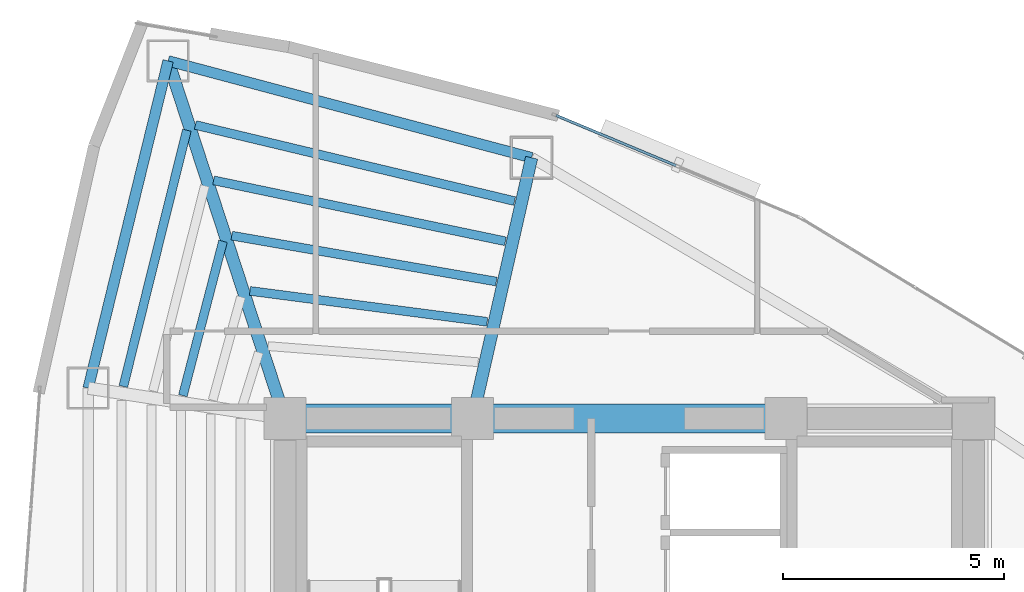
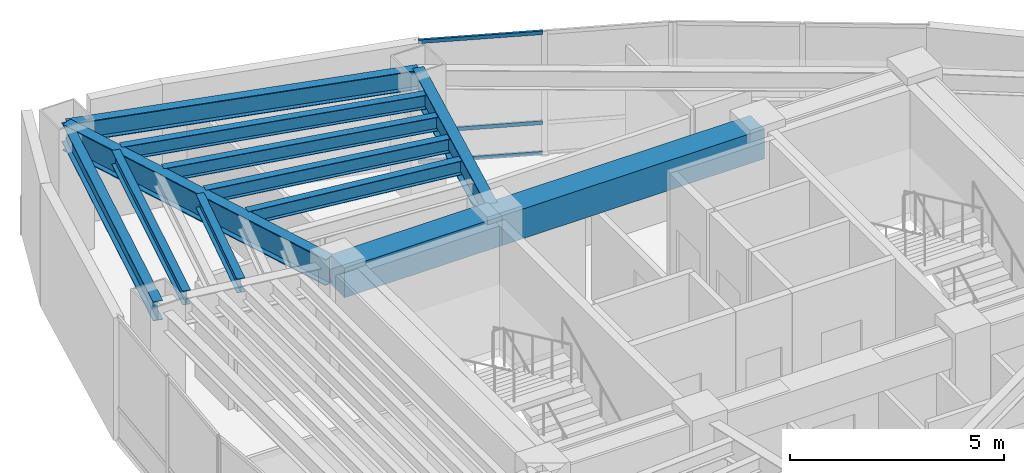
# One storey, part 8 of 15: 12 beams, 3 members, 1 element without a shape of its own.
"""IFC4 building model written with IfcOpenShell, lengths in metres."""

from ifc_helpers import new_model, si_unit, direction, frame, origin, origin_2d, place, context, subcontext, project, spatial, rectangle, hollow_rectangle, i_section, extrude, material, layer, layer_set, material_profile, profile_set, type_object, element, aggregate, save


model = new_model("IFC4")

# Units and contexts
model_context = context("Model", 3, precision=1e-05, world=origin(), true_north=direction((0.0, 1.0)))
body_context = subcontext(model_context, "Body", "Model", "MODEL_VIEW")
ifc_project = project(units=[si_unit("LENGTHUNIT", "METRE"), si_unit("AREAUNIT", "SQUARE_METRE"), si_unit("VOLUMEUNIT", "CUBIC_METRE"), si_unit("PLANEANGLEUNIT", "RADIAN"), si_unit("MASSUNIT", "GRAM", prefix="KILO")], contexts=[model_context])

# Site, building, storey
site_placement = place(None, origin())
site = spatial("IfcSite", under=ifc_project, at=site_placement, CompositionType="ELEMENT")
building_placement = place(site_placement, origin())
building = spatial("IfcBuilding", under=site, at=building_placement, Name="Menara Vayukalpa", CompositionType="ELEMENT")
storey_placement = place(building_placement, frame((0.0, 0.0, 187.800048828125)))
storey = spatial("IfcBuildingStorey", under=building, at=storey_placement, Name="L47", CompositionType="ELEMENT", Elevation=187.800048828125)

# Beams
ifc_material_1 = material(Name="Concrete C60/75", Category="concrete")
ifc_material_profile_1 = material_profile(ifc_material_1, rectangle(XDim=0.64990234375, YDim=0.85009765625, at=origin_2d()), Name="RC 650x850")
ifc_profile_set_1 = profile_set([ifc_material_profile_1], Name="Concrete C60/75")
beam_type_1 = type_object("IfcBeamType", Name="BM-CB1", PredefinedType="BEAM", material=ifc_profile_set_1)
beam_1_placement = place(storey_placement, frame((17.800048828125, 26.800048828125, 3.074951171875), z_axis=(1.0, 0.0, 0.0), x_axis=(0.0, 1.0, 0.0)))
element("IfcBeam", 1, at=beam_1_placement, inside=storey, type_object=beam_type_1, Name="L47 Core Tie Beam CBR4", PredefinedType="BEAM", context=body_context, shape_type="SweptSolid", body=[
    extrude(rectangle(XDim=0.64990234375, YDim=0.85009765625, at=origin_2d()), origin(), (0.0, 0.0, 1.0), 4.25),
])
beam_2_placement = place(storey_placement, frame((22.050048828125, 26.800048828125, 3.074951171875), z_axis=(1.0, 0.0, 0.0), x_axis=(0.0, 1.0, 0.0)))
element("IfcBeam", 2, at=beam_2_placement, inside=storey, type_object=beam_type_1, Name="L47 Core Tie Beam CBR5", PredefinedType="BEAM", context=body_context, shape_type="SweptSolid", body=[
    extrude(rectangle(XDim=0.64990234375, YDim=0.85009765625, at=origin_2d()), origin(), (0.0, 0.0, 1.0), 7.099853515625),
])
ifc_material_2 = material(Name="Steel S355", Category="steel")
ifc_material_profile_2 = material_profile(ifc_material_2, i_section(OverallWidth=0.280029296875, OverallDepth=0.75, WebThickness=0.013916015625, FlangeThickness=0.02490234375, at=origin_2d()), Name="WF 750x280x14x25")
ifc_profile_set_2 = profile_set([ifc_material_profile_2], Name="Steel S355")
beam_type_2 = type_object("IfcBeamType", Name="BM-PG4", PredefinedType="BEAM", material=ifc_profile_set_2)
beam_3_placement = place(storey_placement, frame((22.105224609375, 27.043701171875, 3.125), z_axis=(0.221085149161, 0.975254508741, 0.0), x_axis=(-0.975254508741, 0.221085149161, 0.0)))
element("IfcBeam", 3, at=beam_3_placement, inside=storey, type_object=beam_type_2, Name="L47 Primary Radial Girder RG03", PredefinedType="BEAM", context=body_context, shape_type="SweptSolid", body=[
    extrude(i_section(OverallWidth=0.280029296875, OverallDepth=0.75, WebThickness=0.013916015625, FlangeThickness=0.02490234375, at=origin_2d()), origin(), (0.0, 0.0, 1.0), 5.80859375),
])
beam_4_placement = place(storey_placement, frame((17.722412109375, 27.03759765625, 3.125), z_axis=(-0.310343552153, 0.950624468251, 0.0), x_axis=(-0.950624468251, -0.310343552153, 0.0)))
element("IfcBeam", 4, at=beam_4_placement, inside=storey, type_object=beam_type_2, Name="L47 Primary Radial Girder RG04", PredefinedType="BEAM", context=body_context, shape_type="SweptSolid", body=[
    extrude(i_section(OverallWidth=0.280029296875, OverallDepth=0.75, WebThickness=0.013916015625, FlangeThickness=0.02490234375, at=origin_2d()), origin(), (0.0, 0.0, 1.0), 8.2734375),
])
ifc_material_3 = material(Name="Steel S355", Category="steel")
ifc_material_profile_3 = material_profile(ifc_material_3, i_section(OverallWidth=0.199951171875, OverallDepth=0.39990234375, WebThickness=0.008056640625, FlangeThickness=0.012939453125, at=origin_2d()), Name="WF 400x200x8x13")
ifc_profile_set_3 = profile_set([ifc_material_profile_3], Name="Steel S355")
beam_type_3 = type_object("IfcBeamType", Name="BM-SJ2", PredefinedType="JOIST", material=ifc_profile_set_3)
beam_5_placement = place(storey_placement, frame((22.38330078125, 28.990478515625, 3.300048828125), z_axis=(-0.99161070493, 0.129260240866, 0.0), x_axis=(-0.129260240866, -0.99161070493, 0.0)))
element("IfcBeam", 5, at=beam_5_placement, inside=storey, type_object=beam_type_3, Name="L47 Secondary Floor Joist SJ03-2", PredefinedType="JOIST", context=body_context, shape_type="SweptSolid", body=[
    extrude(i_section(OverallWidth=0.199951171875, OverallDepth=0.39990234375, WebThickness=0.008056640625, FlangeThickness=0.012939453125, at=origin_2d()), origin(), (0.0, 0.0, 1.0), 5.420654296875),
])
beam_6_placement = place(storey_placement, frame((22.589599609375, 29.9033203125, 3.300048828125), z_axis=(-0.985288833054, 0.170897382832, 0.0), x_axis=(-0.170897382832, -0.985288833054, 0.0)))
element("IfcBeam", 6, at=beam_6_placement, inside=storey, type_object=beam_type_3, Name="L47 Secondary Floor Joist SJ03-3", PredefinedType="JOIST", context=body_context, shape_type="SweptSolid", body=[
    extrude(i_section(OverallWidth=0.199951171875, OverallDepth=0.39990234375, WebThickness=0.008056640625, FlangeThickness=0.012939453125, at=origin_2d()), origin(), (0.0, 0.0, 1.0), 6.0830078125),
])
beam_7_placement = place(storey_placement, frame((22.796142578125, 30.815185546875, 3.300048828125), z_axis=(-0.97888709748, 0.204401688806, 0.0), x_axis=(-0.204401688806, -0.97888709748, 0.0)))
element("IfcBeam", 7, at=beam_7_placement, inside=storey, type_object=beam_type_3, Name="L47 Secondary Floor Joist SJ03-4", PredefinedType="JOIST", context=body_context, shape_type="SweptSolid", body=[
    extrude(i_section(OverallWidth=0.199951171875, OverallDepth=0.39990234375, WebThickness=0.008056640625, FlangeThickness=0.012939453125, at=origin_2d()), origin(), (0.0, 0.0, 1.0), 6.75439453125),
])
beam_8_placement = place(storey_placement, frame((23.002685546875, 31.725830078125, 3.300048828125), z_axis=(-0.972731800574, 0.231932844055, 0.0), x_axis=(-0.231932844055, -0.972731800574, 0.0)))
element("IfcBeam", 8, at=beam_8_placement, inside=storey, type_object=beam_type_3, Name="L47 Secondary Floor Joist SJ03-5", PredefinedType="JOIST", context=body_context, shape_type="SweptSolid", body=[
    extrude(i_section(OverallWidth=0.199951171875, OverallDepth=0.39990234375, WebThickness=0.008056640625, FlangeThickness=0.012939453125, at=origin_2d()), origin(), (0.0, 0.0, 1.0), 7.4326171875),
])
beam_9_placement = place(storey_placement, frame((16.398193359375, 30.815185546875, 3.300048828125), z_axis=(-0.251714869346, -0.967801438597, 0.0), x_axis=(0.967801438597, -0.251714869346, 0.0)))
element("IfcBeam", 9, at=beam_9_placement, inside=storey, type_object=beam_type_3, Name="L47 Secondary Floor Joist SJ04-3", PredefinedType="JOIST", context=body_context, shape_type="SweptSolid", body=[
    extrude(i_section(OverallWidth=0.199951171875, OverallDepth=0.39990234375, WebThickness=0.008056640625, FlangeThickness=0.012939453125, at=origin_2d()), origin(), (0.0, 0.0, 1.0), 3.61279296875),
])
beam_10_placement = place(storey_placement, frame((15.57861328125, 33.33154296875, 3.300048828125), z_axis=(-0.240556182956, -0.970635216156, 0.0), x_axis=(0.970635216156, -0.240556182956, 0.0)))
element("IfcBeam", 10, at=beam_10_placement, inside=storey, type_object=beam_type_3, Name="L47 Secondary Floor Joist SJ04-5", PredefinedType="JOIST", context=body_context, shape_type="SweptSolid", body=[
    extrude(i_section(OverallWidth=0.199951171875, OverallDepth=0.39990234375, WebThickness=0.008056640625, FlangeThickness=0.012939453125, at=origin_2d()), origin(), (0.0, 0.0, 1.0), 5.979736328125),
])
ifc_material_4 = material(Name="Steel S355", Category="steel")
ifc_material_profile_4 = material_profile(ifc_material_4, i_section(OverallWidth=0.239990234375, OverallDepth=0.550048828125, WebThickness=0.010986328125, FlangeThickness=0.01904296875, at=origin_2d()), Name="WF 550x240x11x19")
ifc_profile_set_4 = profile_set([ifc_material_profile_4], Name="Steel S355")
beam_type_4 = type_object("IfcBeamType", Name="BM-SP2", PredefinedType="SPANDREL", material=ifc_profile_set_4)
beam_11_placement = place(storey_placement, frame((23.389404296875, 32.70849609375, 3.224853515625), z_axis=(-0.966287699272, 0.25746472037, 0.0), x_axis=(-0.25746472037, -0.966287699272, 0.0)))
element("IfcBeam", 11, at=beam_11_placement, inside=storey, type_object=beam_type_4, Name="L47 Perimeter Spandrel Beam SP03", PredefinedType="SPANDREL", context=body_context, shape_type="SweptSolid", body=[
    extrude(i_section(OverallWidth=0.239990234375, OverallDepth=0.550048828125, WebThickness=0.010986328125, FlangeThickness=0.01904296875, at=origin_2d()), origin(), (0.0, 0.0, 1.0), 8.52197265625),
])
beam_12_placement = place(storey_placement, frame((15.15478515625, 34.902587890625, 3.224853515625), z_axis=(-0.237285374413, -0.971439988414, 0.0), x_axis=(0.971439988414, -0.237285374413, 0.0)))
element("IfcBeam", 12, at=beam_12_placement, inside=storey, type_object=beam_type_4, Name="L47 Perimeter Spandrel Beam SP04", PredefinedType="SPANDREL", context=body_context, shape_type="SweptSolid", body=[
    extrude(i_section(OverallWidth=0.239990234375, OverallDepth=0.550048828125, WebThickness=0.010986328125, FlangeThickness=0.01904296875, at=origin_2d()), origin(), (0.0, 0.0, 1.0), 7.63134765625),
])

# Curtain wall, members
ifc_material_5 = material(Name="Anodised Terracotta Aluminium Alloy 6063-T6", Category="masonry")
ifc_layer = layer(ifc_material_5, 0.139892578125)
ifc_layer_set = layer_set([ifc_layer], Name="Anodised Terracotta Aluminium Alloy 6063-T6")
curtain_wall_type = type_object("IfcCurtainWallType", Name="CW-CW5", PredefinedType="USERDEFINED", material=ifc_layer_set)
curtain_wall_placement = place(storey_placement, origin())
curtain_wall = element("IfcCurtainWall", 13, at=curtain_wall_placement, inside=storey, type_object=curtain_wall_type, Name="L47 High Rise Tapered Curtain Wall CW5 05", ObjectType="UNITISED", PredefinedType="USERDEFINED")
ifc_material_6 = material(Name="Anodised Terracotta Aluminium Alloy 6063-T6", Category="masonry")
ifc_material_profile_5 = material_profile(ifc_material_6, hollow_rectangle(XDim=0.06005859375, YDim=0.10498046875, WallThickness=0.0029296875, at=origin_2d()), Name="ALU 60x105x3")
ifc_profile_set_5 = profile_set([ifc_material_profile_5], Name="Anodised Terracotta Aluminium Alloy 6063-T6")
member_type = type_object("IfcMemberType", Name="CWT-CW5", PredefinedType="USERDEFINED", material=ifc_profile_set_5)
member_1_placement = place(storey_placement, frame((26.658447265625, 32.530029296875, 0.030029296875), z_axis=(-0.922543360613, 0.385893440976, 0.0), x_axis=(-0.385893440976, -0.922543360613, 0.0)))
member_1 = element("IfcMember", 14, at=member_1_placement, type_object=member_type, Name="CW5 transom 2.1", ObjectType="TRANSOM", PredefinedType="USERDEFINED", context=body_context, shape_type="SweptSolid", body=[
    extrude(hollow_rectangle(XDim=0.06005859375, YDim=0.10498046875, WallThickness=0.0029296875, at=origin_2d()), origin(), (0.0, 0.0, 1.0), 2.942626953125),
])
member_2_placement = place(storey_placement, frame((26.658447265625, 32.530029296875, 0.89990234375), z_axis=(-0.922543360613, 0.385893440976, 0.0), x_axis=(-0.385893440976, -0.922543360613, 0.0)))
member_2 = element("IfcMember", 15, at=member_2_placement, type_object=member_type, Name="CW5 transom 2.2", ObjectType="TRANSOM", PredefinedType="USERDEFINED", context=body_context, shape_type="SweptSolid", body=[
    extrude(hollow_rectangle(XDim=0.06005859375, YDim=0.10498046875, WallThickness=0.0029296875, at=origin_2d()), origin(), (0.0, 0.0, 1.0), 2.942626953125),
])
member_3_placement = place(storey_placement, frame((26.658447265625, 32.530029296875, 3.469970703125), z_axis=(-0.922543360613, 0.385893440976, 0.0), x_axis=(-0.385893440976, -0.922543360613, 0.0)))
member_3 = element("IfcMember", 16, at=member_3_placement, type_object=member_type, Name="CW5 transom 2.3", ObjectType="TRANSOM", PredefinedType="USERDEFINED", context=body_context, shape_type="SweptSolid", body=[
    extrude(hollow_rectangle(XDim=0.06005859375, YDim=0.10498046875, WallThickness=0.0029296875, at=origin_2d()), origin(), (0.0, 0.0, 1.0), 2.942626953125),
])
aggregate(curtain_wall, [member_1, member_2, member_3])

save(model, "model.ifc")
